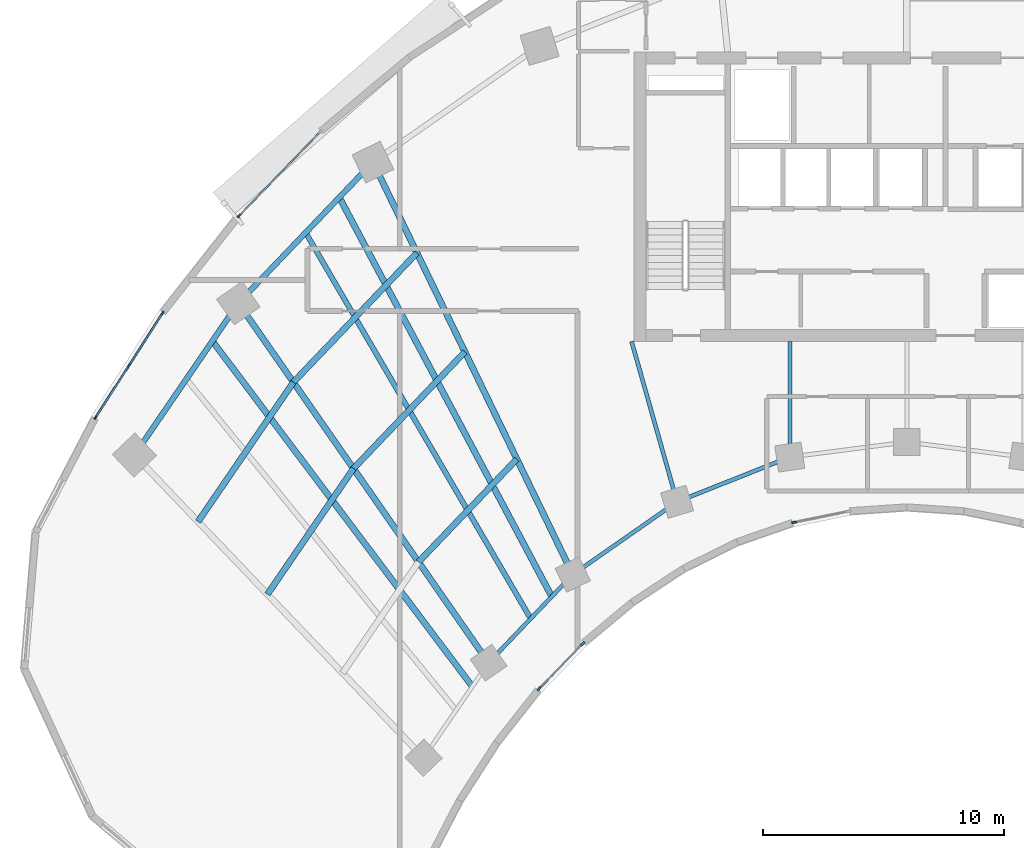
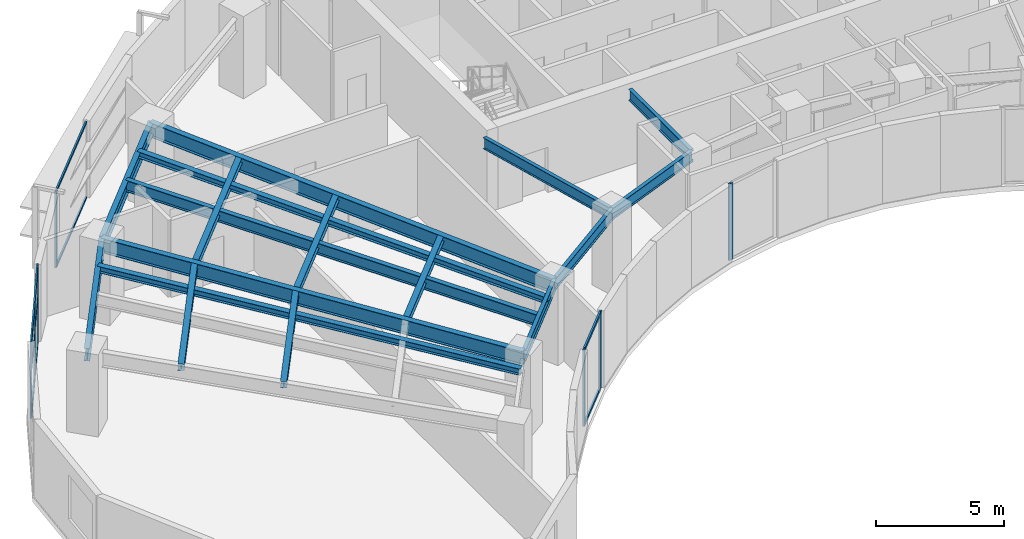
# One storey, part 2 of 13: 17 beams, 17 members, 4 elements without a shape of their own.
"""IFC4 building model written with IfcOpenShell, lengths in metres."""

from ifc_helpers import new_model, si_unit, direction, frame, origin, origin_2d, place, context, subcontext, project, spatial, rectangle, i_section, extrude, source, transform, mapped, material, layer, layer_set, material_profile, profile_set, type_object, type_shapes, element, aggregate, save


model = new_model("IFC4")

# Units and contexts
model_context = context("Model", 3, precision=1e-05, world=origin(), true_north=direction((0.0, 1.0)))
body_context = subcontext(model_context, "Body", "Model", "MODEL_VIEW")
ifc_project = project(units=[si_unit("LENGTHUNIT", "METRE"), si_unit("AREAUNIT", "SQUARE_METRE"), si_unit("VOLUMEUNIT", "CUBIC_METRE"), si_unit("PLANEANGLEUNIT", "RADIAN"), si_unit("MASSUNIT", "GRAM", prefix="KILO")], contexts=[model_context])

# Site, building, storey
site_placement = place(None, origin())
site = spatial("IfcSite", under=ifc_project, at=site_placement, CompositionType="ELEMENT")
building_placement = place(site_placement, origin())
building = spatial("IfcBuilding", under=site, at=building_placement, Name="Breltana Convention Tower", CompositionType="ELEMENT")
storey_placement = place(building_placement, frame((0.0, 0.0, 107.699951171875)))
storey = spatial("IfcBuildingStorey", under=building, at=storey_placement, Name="L25", CompositionType="ELEMENT", Elevation=107.699951171875)

# Beams
ifc_material_1 = material(Name="Steel ASTM A992 Grade 50", Category="steel")
ifc_material_profile_1 = material_profile(ifc_material_1, i_section(OverallWidth=0.25390625, OverallDepth=0.68798828125, WebThickness=0.01318359375, FlangeThickness=0.02099609375, at=origin_2d()), Name="W27X102")
ifc_profile_set_1 = profile_set([ifc_material_profile_1], Name="Steel ASTM A992 Grade 50")
beam_type_1 = type_object("IfcBeamType", Name="BM-RG-W27X102", PredefinedType="USERDEFINED", material=ifc_profile_set_1)
shared_shape_1 = source(origin(), body_context, "Body", "SweptSolid", [
    extrude(i_section(OverallWidth=0.25390625, OverallDepth=0.68798828125, WebThickness=0.01318359375, FlangeThickness=0.02099609375, at=origin_2d()), origin(), (0.0, 0.0, 1.0), 18.1484375),
])
beam_1_placement = place(storey_placement, frame((30.67724609375, 46.892333984375, 3.30615234375), z_axis=(-0.571207556098, 0.820805657788, 0.0), x_axis=(-0.820805657788, -0.571207556098, 0.0)))
element("IfcBeam", 1, at=beam_1_placement, inside=storey, type_object=beam_type_1, Name="L25 Radial Floor Girder R02", ObjectType="GIRDER", PredefinedType="USERDEFINED", context=body_context, shape_type="MappedRepresentation", body=[
    mapped(shared_shape_1, transform((0.0, 0.0, 0.0), scale=1.0)),
])
shared_shape_2 = source(origin(), body_context, "Body", "SweptSolid", [
    extrude(i_section(OverallWidth=0.25390625, OverallDepth=0.68798828125, WebThickness=0.01318359375, FlangeThickness=0.02099609375, at=origin_2d()), origin(), (0.0, 0.0, 1.0), 18.982421875),
])
beam_2_placement = place(storey_placement, frame((34.166259765625, 50.544921875, 3.30615234375), z_axis=(-0.436118560343, 0.89988921614, 0.0), x_axis=(-0.89988921614, -0.436118560343, 0.0)))
element("IfcBeam", 2, at=beam_2_placement, inside=storey, type_object=beam_type_1, Name="L25 Radial Floor Girder R03", ObjectType="GIRDER", PredefinedType="USERDEFINED", context=body_context, shape_type="MappedRepresentation", body=[
    mapped(shared_shape_2, transform((0.0, 0.0, 0.0), scale=1.0)),
])
ifc_material_profile_2 = material_profile(ifc_material_1, i_section(OverallWidth=0.166015625, OverallDepth=0.534912109375, WebThickness=0.01025390625, FlangeThickness=0.0166015625, at=origin_2d()), Name="W21X57")
ifc_profile_set_2 = profile_set([ifc_material_profile_2], Name="Steel ASTM A992 Grade 50")
beam_type_2 = type_object("IfcBeamType", Name="BM-BM-W21X57", PredefinedType="BEAM", material=ifc_profile_set_2)
shared_shape_3 = source(origin(), body_context, "Body", "SweptSolid", [
    extrude(i_section(OverallWidth=0.166015625, OverallDepth=0.534912109375, WebThickness=0.01025390625, FlangeThickness=0.0166015625, at=origin_2d()), origin(), (0.0, 0.0, 1.0), 6.904541015625),
])
type_shapes(beam_type_2, [shared_shape_3])
beam_3_placement = place(storey_placement, frame((36.60009765625, 60.199951171875, 3.382568359375), z_axis=(0.273006781054, -0.962012108811, 0.0), x_axis=(0.962012108811, 0.273006781054, 0.0)))
element("IfcBeam", 3, at=beam_3_placement, inside=storey, type_object=beam_type_2, Name="L25 South Core Tie Girder R04", PredefinedType="BEAM", context=body_context, shape_type="MappedRepresentation", body=[
    mapped(shared_shape_3, transform((0.0, 0.0, 0.0), scale=1.0)),
])
shared_shape_4 = source(origin(), body_context, "Body", "SweptSolid", [
    extrude(i_section(OverallWidth=0.166015625, OverallDepth=0.534912109375, WebThickness=0.01025390625, FlangeThickness=0.0166015625, at=origin_2d()), origin(), (0.0, 0.0, 1.0), 4.789306640625),
])
beam_4_placement = place(storey_placement, frame((43.153564453125, 60.199951171875, 3.382568359375), z_axis=(0.0, -1.0, 0.0), x_axis=(1.0, 0.0, 0.0)))
element("IfcBeam", 4, at=beam_4_placement, inside=storey, type_object=beam_type_2, Name="L25 South Core Tie Girder R05", PredefinedType="BEAM", context=body_context, shape_type="MappedRepresentation", body=[
    mapped(shared_shape_4, transform((0.0, 0.0, 0.0), scale=1.0)),
])
ifc_material_profile_3 = material_profile(ifc_material_1, i_section(OverallWidth=0.22802734375, OverallDepth=0.60791015625, WebThickness=0.01123046875, FlangeThickness=0.017333984375, at=origin_2d()), Name="W24X76")
ifc_profile_set_3 = profile_set([ifc_material_profile_3], Name="Steel ASTM A992 Grade 50")
beam_type_3 = type_object("IfcBeamType", Name="BM-SP-W24X76", PredefinedType="SPANDREL", material=ifc_profile_set_3)
shared_shape_5 = source(origin(), body_context, "Body", "SweptSolid", [
    extrude(i_section(OverallWidth=0.22802734375, OverallDepth=0.60791015625, WebThickness=0.01123046875, FlangeThickness=0.017333984375, at=origin_2d()), origin(), (0.0, 0.0, 1.0), 7.625),
])
type_shapes(beam_type_3, [shared_shape_5])
beam_5_placement = place(storey_placement, frame((16.0068359375, 55.494384765625, 3.345947265625), z_axis=(0.564452031902, 0.825465870694, 0.0), x_axis=(-0.825465870694, 0.564452031902, 0.0)))
element("IfcBeam", 5, at=beam_5_placement, inside=storey, type_object=beam_type_3, Name="L25 Outer Spandrel Beam 01", PredefinedType="SPANDREL", context=body_context, shape_type="MappedRepresentation", body=[
    mapped(shared_shape_5, transform((0.0, 0.0, 0.0), scale=1.0)),
])
shared_shape_6 = source(origin(), body_context, "Body", "SweptSolid", [
    extrude(i_section(OverallWidth=0.166015625, OverallDepth=0.534912109375, WebThickness=0.01025390625, FlangeThickness=0.0166015625, at=origin_2d()), origin(), (0.0, 0.0, 1.0), 5.05126953125),
])
beam_6_placement = place(storey_placement, frame((30.67724609375, 46.892333984375, 3.382568359375), z_axis=(0.690729753845, 0.7231129975, 0.0), x_axis=(-0.7231129975, 0.690729753845, 0.0)))
element("IfcBeam", 6, at=beam_6_placement, inside=storey, type_object=beam_type_2, Name="L25 Inner Ring Beam 02", PredefinedType="BEAM", context=body_context, shape_type="MappedRepresentation", body=[
    mapped(shared_shape_6, transform((0.0, 0.0, 0.0), scale=1.0)),
])
shared_shape_7 = source(origin(), body_context, "Body", "SweptSolid", [
    extrude(i_section(OverallWidth=0.22802734375, OverallDepth=0.60791015625, WebThickness=0.01123046875, FlangeThickness=0.017333984375, at=origin_2d()), origin(), (0.0, 0.0, 1.0), 8.073974609375),
])
beam_7_placement = place(storey_placement, frame((20.310791015625, 61.78857421875, 3.345947265625), z_axis=(0.69072885448, 0.723113856588, 0.0), x_axis=(-0.723113856588, 0.69072885448, 0.0)))
element("IfcBeam", 7, at=beam_7_placement, inside=storey, type_object=beam_type_3, Name="L25 Outer Spandrel Beam 02", PredefinedType="SPANDREL", context=body_context, shape_type="MappedRepresentation", body=[
    mapped(shared_shape_7, transform((0.0, 0.0, 0.0), scale=1.0)),
])
shared_shape_8 = source(origin(), body_context, "Body", "SweptSolid", [
    extrude(i_section(OverallWidth=0.166015625, OverallDepth=0.534912109375, WebThickness=0.01025390625, FlangeThickness=0.0166015625, at=origin_2d()), origin(), (0.0, 0.0, 1.0), 5.265869140625),
])
beam_8_placement = place(storey_placement, frame((34.166259765625, 50.544921875, 3.382568359375), z_axis=(0.820167429517, 0.572123577176, 0.0), x_axis=(-0.572123577176, 0.820167429517, 0.0)))
element("IfcBeam", 8, at=beam_8_placement, inside=storey, type_object=beam_type_2, Name="L25 Inner Ring Beam 03", PredefinedType="BEAM", context=body_context, shape_type="MappedRepresentation", body=[
    mapped(shared_shape_8, transform((0.0, 0.0, 0.0), scale=1.0)),
])
shared_shape_9 = source(origin(), body_context, "Body", "SweptSolid", [
    extrude(i_section(OverallWidth=0.166015625, OverallDepth=0.534912109375, WebThickness=0.01025390625, FlangeThickness=0.0166015625, at=origin_2d()), origin(), (0.0, 0.0, 1.0), 5.022705078125),
])
beam_9_placement = place(storey_placement, frame((38.485107421875, 53.5576171875, 3.382568359375), z_axis=(0.929458966248, 0.368925507469, 0.0), x_axis=(-0.368925507469, 0.929458966248, 0.0)))
element("IfcBeam", 9, at=beam_9_placement, inside=storey, type_object=beam_type_2, Name="L25 Inner Ring Beam 04", PredefinedType="BEAM", context=body_context, shape_type="MappedRepresentation", body=[
    mapped(shared_shape_9, transform((0.0, 0.0, 0.0), scale=1.0)),
])
ifc_material_profile_4 = material_profile(ifc_material_1, i_section(OverallWidth=0.25390625, OverallDepth=0.305908203125, WebThickness=0.0087890625, FlangeThickness=0.0146484375, at=origin_2d()), Name="W12X53")
ifc_profile_set_4 = profile_set([ifc_material_profile_4], Name="Steel ASTM A992 Grade 50")
beam_type_4 = type_object("IfcBeamType", Name="BM-JSG-10", PredefinedType="JOIST", material=ifc_profile_set_4)
shared_shape_10 = source(origin(), body_context, "Body", "SweptSolid", [
    extrude(i_section(OverallWidth=0.25390625, OverallDepth=0.305908203125, WebThickness=0.0087890625, FlangeThickness=0.0146484375, at=origin_2d()), origin(), (0.0, 0.0, 1.0), 6.311767578125),
])
beam_10_placement = place(storey_placement, frame((21.5166015625, 49.72607421875, 3.4970703125), z_axis=(0.564453712577, 0.825464721449, 0.0), x_axis=(-0.825464721449, 0.564453712577, 0.0)))
element("IfcBeam", 10, at=beam_10_placement, inside=storey, type_object=beam_type_4, Name="L25 Composite Floor Joist 01.2", PredefinedType="JOIST", context=body_context, shape_type="MappedRepresentation", body=[
    mapped(shared_shape_10, transform((0.0, 0.0, 0.0), scale=1.0)),
])
shared_shape_11 = source(origin(), body_context, "Body", "SweptSolid", [
    extrude(i_section(OverallWidth=0.25390625, OverallDepth=0.305908203125, WebThickness=0.0087890625, FlangeThickness=0.0146484375, at=origin_2d()), origin(), (0.0, 0.0, 1.0), 6.997314453125),
])
beam_11_placement = place(storey_placement, frame((18.641845703125, 52.735595703125, 3.4970703125), z_axis=(0.564468756361, 0.825454434292, 0.0), x_axis=(-0.825454434292, 0.564468756361, 0.0)))
element("IfcBeam", 11, at=beam_11_placement, inside=storey, type_object=beam_type_4, Name="L25 Composite Floor Joist 01.3", PredefinedType="JOIST", context=body_context, shape_type="MappedRepresentation", body=[
    mapped(shared_shape_11, transform((0.0, 0.0, 0.0), scale=1.0)),
])
shared_shape_12 = source(origin(), body_context, "Body", "SweptSolid", [
    extrude(i_section(OverallWidth=0.25390625, OverallDepth=0.305908203125, WebThickness=0.0087890625, FlangeThickness=0.0146484375, at=origin_2d()), origin(), (0.0, 0.0, 1.0), 17.9072265625),
])
beam_12_placement = place(storey_placement, frame((30.00390625, 45.907958984375, 3.4970703125), z_axis=(-0.601382105028, 0.798961553363, 0.0), x_axis=(-0.798961553363, -0.601382105028, 0.0)))
element("IfcBeam", 12, at=beam_12_placement, inside=storey, type_object=beam_type_4, Name="L25 Quarter-Bay Radial Trimmer 01", PredefinedType="JOIST", context=body_context, shape_type="MappedRepresentation", body=[
    mapped(shared_shape_12, transform((0.0, 0.0, 0.0), scale=1.0)),
])
shared_shape_13 = source(origin(), body_context, "Body", "SweptSolid", [
    extrude(i_section(OverallWidth=0.25390625, OverallDepth=0.305908203125, WebThickness=0.0087890625, FlangeThickness=0.0146484375, at=origin_2d()), origin(), (0.0, 0.0, 1.0), 5.8974609375),
])
beam_13_placement = place(storey_placement, frame((27.774658203125, 51.063232421875, 3.4970703125), z_axis=(0.690713978666, 0.723128065888, 0.0), x_axis=(-0.723128065888, 0.690713978666, 0.0)))
element("IfcBeam", 13, at=beam_13_placement, inside=storey, type_object=beam_type_4, Name="L25 Composite Floor Joist 02.1", PredefinedType="JOIST", context=body_context, shape_type="MappedRepresentation", body=[
    mapped(shared_shape_13, transform((0.0, 0.0, 0.0), scale=1.0)),
])
shared_shape_14 = source(origin(), body_context, "Body", "SweptSolid", [
    extrude(i_section(OverallWidth=0.25390625, OverallDepth=0.305908203125, WebThickness=0.0087890625, FlangeThickness=0.0146484375, at=origin_2d()), origin(), (0.0, 0.0, 1.0), 6.68359375),
])
beam_14_placement = place(storey_placement, frame((25.079345703125, 54.936279296875, 3.4970703125), z_axis=(0.690720705885, 0.723121640156, 0.0), x_axis=(-0.723121640156, 0.690720705885, 0.0)))
element("IfcBeam", 14, at=beam_14_placement, inside=storey, type_object=beam_type_4, Name="L25 Composite Floor Joist 02.2", PredefinedType="JOIST", context=body_context, shape_type="MappedRepresentation", body=[
    mapped(shared_shape_14, transform((0.0, 0.0, 0.0), scale=1.0)),
])
shared_shape_15 = source(origin(), body_context, "Body", "SweptSolid", [
    extrude(i_section(OverallWidth=0.25390625, OverallDepth=0.305908203125, WebThickness=0.0087890625, FlangeThickness=0.0146484375, at=origin_2d()), origin(), (0.0, 0.0, 1.0), 7.40869140625),
])
beam_15_placement = place(storey_placement, frame((22.591552734375, 58.511474609375, 3.4970703125), z_axis=(0.690724936208, 0.723117599358, 0.0), x_axis=(-0.723117599358, 0.690724936208, 0.0)))
element("IfcBeam", 15, at=beam_15_placement, inside=storey, type_object=beam_type_4, Name="L25 Composite Floor Joist 02.3", PredefinedType="JOIST", context=body_context, shape_type="MappedRepresentation", body=[
    mapped(shared_shape_15, transform((0.0, 0.0, 0.0), scale=1.0)),
])
ifc_material_profile_5 = material_profile(ifc_material_1, i_section(OverallWidth=0.214111328125, OverallDepth=0.549072265625, WebThickness=0.0146484375, FlangeThickness=0.023681640625, at=origin_2d()), Name="W21X93")
ifc_profile_set_5 = profile_set([ifc_material_profile_5], Name="Steel ASTM A992 Grade 50")
beam_type_5 = type_object("IfcBeamType", Name="BM-JSG-03", PredefinedType="JOIST", material=ifc_profile_set_5)
shared_shape_16 = source(origin(), body_context, "Body", "SweptSolid", [
    extrude(i_section(OverallWidth=0.214111328125, OverallDepth=0.549072265625, WebThickness=0.0146484375, FlangeThickness=0.023681640625, at=origin_2d()), origin(), (0.0, 0.0, 1.0), 18.50830078125),
])
beam_16_placement = place(storey_placement, frame((32.421630859375, 48.71875, 3.37548828125), z_axis=(-0.50368319637, 0.863888440537, 0.0), x_axis=(-0.863888440537, -0.50368319637, 0.0)))
element("IfcBeam", 16, at=beam_16_placement, inside=storey, type_object=beam_type_5, Name="L25 Mid-Bay Radial Trimmer 02", PredefinedType="JOIST", context=body_context, shape_type="MappedRepresentation", body=[
    mapped(shared_shape_16, transform((0.0, 0.0, 0.0), scale=1.0)),
])
shared_shape_17 = source(origin(), body_context, "Body", "SweptSolid", [
    extrude(i_section(OverallWidth=0.25390625, OverallDepth=0.305908203125, WebThickness=0.0087890625, FlangeThickness=0.0146484375, at=origin_2d()), origin(), (0.0, 0.0, 1.0), 18.731689453125),
])
beam_17_placement = place(storey_placement, frame((33.2939453125, 49.6318359375, 3.4970703125), z_axis=(-0.469820250451, 0.882762104004, 0.0), x_axis=(-0.882762104004, -0.469820250451, 0.0)))
element("IfcBeam", 17, at=beam_17_placement, inside=storey, type_object=beam_type_4, Name="L25 Quarter-Bay Radial Trimmer 02", PredefinedType="JOIST", context=body_context, shape_type="MappedRepresentation", body=[
    mapped(shared_shape_17, transform((0.0, 0.0, 0.0), scale=1.0)),
])

# Curtain wall, members
ifc_material_2 = material(Name="Aluminium Anodised Bronze Frame", Category="aluminium")
ifc_layer_1 = layer(ifc_material_2, 0.18994140625, Name="Aluminium Anodised Bronze Frame")
ifc_layer_set_1 = layer_set([ifc_layer_1], Name="Aluminium Anodised Bronze Frame")
curtain_wall_type_1 = type_object("IfcCurtainWallType", Name="CW-SYS-1", PredefinedType="NOTDEFINED", material=ifc_layer_set_1)
curtain_wall_1_placement = place(storey_placement, origin())
curtain_wall_1 = element("IfcCurtainWall", 18, at=curtain_wall_1_placement, inside=storey, type_object=curtain_wall_type_1, Name="L25 inner south-court glazing 5", PredefinedType="NOTDEFINED")
ifc_material_3 = material(Name="Aluminium Anodised Bronze", Category="aluminium")
ifc_material_profile_6 = material_profile(ifc_material_3, rectangle(XDim=0.080078125, YDim=0.139892578125, at=origin_2d()), Name="CWT-80X140")
ifc_profile_set_6 = profile_set([ifc_material_profile_6], Name="Aluminium Anodised Bronze")
member_type_1 = type_object("IfcMemberType", Name="CWT-140", PredefinedType="USERDEFINED", material=ifc_profile_set_6)
shared_shape_18 = source(origin(), body_context, "Body", "SweptSolid", [
    extrude(rectangle(XDim=0.080078125, YDim=0.139892578125, at=origin_2d()), origin(), (0.0, 0.0, 1.0), 2.519775390625),
])
member_1_placement = place(storey_placement, frame((34.5458984375, 47.650390625, 0.0400390625), z_axis=(-0.694596242791, -0.719399791146, 0.0), x_axis=(0.719399791146, -0.694596242791, 0.0)))
member_1 = element("IfcMember", 19, at=member_1_placement, type_object=member_type_1, Name="CW-01 transom 1.1", ObjectType="TRANSOM", PredefinedType="USERDEFINED", context=body_context, shape_type="MappedRepresentation", body=[
    mapped(shared_shape_18, transform((0.0, 0.0, 0.0), scale=1.0)),
])
member_2_placement = place(storey_placement, frame((34.5458984375, 47.650390625, 3.610107421875), z_axis=(-0.694596242791, -0.719399791146, 0.0), x_axis=(0.719399791146, -0.694596242791, 0.0)))
member_2 = element("IfcMember", 20, at=member_2_placement, type_object=member_type_1, Name="CW-01 transom 1.2", ObjectType="TRANSOM", PredefinedType="USERDEFINED", context=body_context, shape_type="MappedRepresentation", body=[
    mapped(shared_shape_18, transform((0.0, 0.0, 0.0), scale=1.0)),
])

ifc_layer_2 = layer(ifc_material_2, 0.22998046875, Name="Aluminium Anodised Bronze Frame")
ifc_layer_set_2 = layer_set([ifc_layer_2], Name="Aluminium Anodised Bronze Frame")
curtain_wall_type_2 = type_object("IfcCurtainWallType", Name="CW-SYS-5", PredefinedType="NOTDEFINED", material=ifc_layer_set_2)
curtain_wall_2_placement = place(storey_placement, origin())
curtain_wall_2 = element("IfcCurtainWall", 21, at=curtain_wall_2_placement, inside=storey, type_object=curtain_wall_type_2, Name="L25 outer double-skin inner glazing 1", PredefinedType="NOTDEFINED")
ifc_material_profile_7 = material_profile(ifc_material_3, rectangle(XDim=0.070068359375, YDim=0.1201171875, at=origin_2d()), Name="CWT-70X120")
ifc_profile_set_7 = profile_set([ifc_material_profile_7], Name="Aluminium Anodised Bronze")
member_type_2 = type_object("IfcMemberType", Name="CWT-120", PredefinedType="USERDEFINED", material=ifc_profile_set_7)
shared_shape_19 = source(origin(), body_context, "Body", "SweptSolid", [
    extrude(rectangle(XDim=0.070068359375, YDim=0.1201171875, at=origin_2d()), origin(), (0.0, 0.0, 1.0), 2.49755859375),
])
member_3_placement = place(storey_placement, frame((14.41455078125, 57.078857421875, 0.03515625), z_axis=(0.540179419124, 0.841549876808, 0.0), x_axis=(-0.841549876808, 0.540179419124, 0.0)))
member_3 = element("IfcMember", 22, at=member_3_placement, type_object=member_type_2, Name="CW-05 transom 1.1", ObjectType="TRANSOM", PredefinedType="USERDEFINED", context=body_context, shape_type="MappedRepresentation", body=[
    mapped(shared_shape_19, transform((0.0, 0.0, 0.0), scale=1.0)),
])
member_4_placement = place(storey_placement, frame((14.41455078125, 57.078857421875, 2.37255859375), z_axis=(0.540179419124, 0.841549876808, 0.0), x_axis=(-0.841549876808, 0.540179419124, 0.0)))
member_4 = element("IfcMember", 23, at=member_4_placement, type_object=member_type_2, Name="CW-05 transom 1.2", ObjectType="TRANSOM", PredefinedType="USERDEFINED", context=body_context, shape_type="MappedRepresentation", body=[
    mapped(shared_shape_19, transform((0.0, 0.0, 0.0), scale=1.0)),
])
member_5_placement = place(storey_placement, frame((14.41455078125, 57.078857421875, 3.614990234375), z_axis=(0.540179419124, 0.841549876808, 0.0), x_axis=(-0.841549876808, 0.540179419124, 0.0)))
member_5 = element("IfcMember", 24, at=member_5_placement, type_object=member_type_2, Name="CW-05 transom 1.3", ObjectType="TRANSOM", PredefinedType="USERDEFINED", context=body_context, shape_type="MappedRepresentation", body=[
    mapped(shared_shape_19, transform((0.0, 0.0, 0.0), scale=1.0)),
])
member_6_placement = place(storey_placement, frame((15.801513671875, 59.23974609375, 0.03515625), z_axis=(0.540179419124, 0.841549876808, 0.0), x_axis=(-0.841549876808, 0.540179419124, 0.0)))
member_6 = element("IfcMember", 25, at=member_6_placement, type_object=member_type_2, Name="CW-05 transom 2.1", ObjectType="TRANSOM", PredefinedType="USERDEFINED", context=body_context, shape_type="MappedRepresentation", body=[
    mapped(shared_shape_19, transform((0.0, 0.0, 0.0), scale=1.0)),
])
member_7_placement = place(storey_placement, frame((15.801513671875, 59.23974609375, 2.37255859375), z_axis=(0.540179419124, 0.841549876808, 0.0), x_axis=(-0.841549876808, 0.540179419124, 0.0)))
member_7 = element("IfcMember", 26, at=member_7_placement, type_object=member_type_2, Name="CW-05 transom 2.2", ObjectType="TRANSOM", PredefinedType="USERDEFINED", context=body_context, shape_type="MappedRepresentation", body=[
    mapped(shared_shape_19, transform((0.0, 0.0, 0.0), scale=1.0)),
])
member_8_placement = place(storey_placement, frame((15.801513671875, 59.23974609375, 3.614990234375), z_axis=(0.540179419124, 0.841549876808, 0.0), x_axis=(-0.841549876808, 0.540179419124, 0.0)))
member_8 = element("IfcMember", 27, at=member_8_placement, type_object=member_type_2, Name="CW-05 transom 2.3", ObjectType="TRANSOM", PredefinedType="USERDEFINED", context=body_context, shape_type="MappedRepresentation", body=[
    mapped(shared_shape_19, transform((0.0, 0.0, 0.0), scale=1.0)),
])

curtain_wall_3_placement = place(storey_placement, origin())
curtain_wall_3 = element("IfcCurtainWall", 28, at=curtain_wall_3_placement, inside=storey, type_object=curtain_wall_type_2, Name="L25 outer double-skin inner glazing 2", PredefinedType="NOTDEFINED")
shared_shape_20 = source(origin(), body_context, "Body", "SweptSolid", [
    extrude(rectangle(XDim=0.070068359375, YDim=0.1201171875, at=origin_2d()), origin(), (0.0, 0.0, 1.0), 4.7685546875),
])
member_9_placement = place(storey_placement, frame((20.36376953125, 65.4267578125, 0.03515625), z_axis=(0.694608218982, 0.719388227679, 0.0), x_axis=(-0.719388227679, 0.694608218982, 0.0)))
member_9 = element("IfcMember", 29, at=member_9_placement, type_object=member_type_2, Name="CW-05 transom 1.1", ObjectType="TRANSOM", PredefinedType="USERDEFINED", context=body_context, shape_type="MappedRepresentation", body=[
    mapped(shared_shape_20, transform((0.0, 0.0, 0.0), scale=1.0)),
])
member_10_placement = place(storey_placement, frame((20.36376953125, 65.4267578125, 3.614990234375), z_axis=(0.694608218982, 0.719388227679, 0.0), x_axis=(-0.719388227679, 0.694608218982, 0.0)))
member_10 = element("IfcMember", 30, at=member_10_placement, type_object=member_type_2, Name="CW-05 transom 1.2", ObjectType="TRANSOM", PredefinedType="USERDEFINED", context=body_context, shape_type="MappedRepresentation", body=[
    mapped(shared_shape_20, transform((0.0, 0.0, 0.0), scale=1.0)),
])

# Curtain wall, member
curtain_wall_4_placement = place(storey_placement, origin())
curtain_wall_4 = element("IfcCurtainWall", 31, at=curtain_wall_4_placement, inside=storey, type_object=curtain_wall_type_1, Name="L25 inner south-court glazing 4", PredefinedType="NOTDEFINED")
ifc_material_profile_8 = material_profile(ifc_material_3, rectangle(XDim=0.080078125, YDim=0.199951171875, at=origin_2d()), Name="CWM-80X200")
ifc_profile_set_8 = profile_set([ifc_material_profile_8], Name="Aluminium Anodised Bronze")
member_type_3 = type_object("IfcMemberType", Name="CWM-200", PredefinedType="MULLION", material=ifc_profile_set_8)
shared_shape_21 = source(origin(), body_context, "Body", "SweptSolid", [
    extrude(rectangle(XDim=0.080078125, YDim=0.199951171875, at=origin_2d()), origin(), (0.0, 0.0, 1.0), 3.650146484375),
])
member_11_placement = place(storey_placement, frame((43.327880859375, 52.703125, 0.0), z_axis=(0.0, 0.0, 1.0), x_axis=(0.200852929183, -0.979621406891, 0.0)))
member_11 = element("IfcMember", 32, at=member_11_placement, type_object=member_type_3, Name="CW-01 mullion 2", PredefinedType="MULLION", context=body_context, shape_type="MappedRepresentation", body=[
    mapped(shared_shape_21, transform((0.0, 0.0, 0.0), scale=1.0)),
])
aggregate(curtain_wall_4, [member_11])

# Member
member_12_placement = place(storey_placement, frame((34.57373046875, 47.67919921875, 0.0), z_axis=(0.0, 0.0, 1.0), x_axis=(0.719387314642, -0.694609164589, 0.0)))
member_12 = element("IfcMember", 33, at=member_12_placement, type_object=member_type_3, Name="CW-01 mullion 1", PredefinedType="MULLION", context=body_context, shape_type="MappedRepresentation", body=[
    mapped(shared_shape_21, transform((0.0, 0.0, 0.0), scale=1.0)),
])

member_13_placement = place(storey_placement, frame((32.767822265625, 45.808837890625, 0.0), z_axis=(0.0, 0.0, 1.0), x_axis=(0.719387314642, -0.694609164589, 0.0)))
member_13 = element("IfcMember", 34, at=member_13_placement, type_object=member_type_3, Name="CW-01 mullion 2", PredefinedType="MULLION", context=body_context, shape_type="MappedRepresentation", body=[
    mapped(shared_shape_21, transform((0.0, 0.0, 0.0), scale=1.0)),
])

aggregate(curtain_wall_1, [member_12, member_13, member_1, member_2])

ifc_material_profile_9 = material_profile(ifc_material_3, rectangle(XDim=0.070068359375, YDim=0.175048828125, at=origin_2d()), Name="CWM-70X175")
ifc_profile_set_9 = profile_set([ifc_material_profile_9], Name="Aluminium Anodised Bronze")
member_type_4 = type_object("IfcMemberType", Name="CWM-175", PredefinedType="MULLION", material=ifc_profile_set_9)
shared_shape_22 = source(origin(), body_context, "Body", "SweptSolid", [
    extrude(rectangle(XDim=0.070068359375, YDim=0.175048828125, at=origin_2d()), origin(), (0.0, 0.0, 1.0), 3.650146484375),
])
member_14_placement = place(storey_placement, frame((14.395751953125, 57.049560546875, 0.0), z_axis=(0.0, 0.0, 1.0), x_axis=(-0.84155155167, 0.540176809834, 0.0)))
member_14 = element("IfcMember", 35, at=member_14_placement, type_object=member_type_4, Name="CW-05 mullion 1", PredefinedType="MULLION", context=body_context, shape_type="MappedRepresentation", body=[
    mapped(shared_shape_22, transform((0.0, 0.0, 0.0), scale=1.0)),
])

member_15_placement = place(storey_placement, frame((15.78271484375, 59.210205078125, 0.0), z_axis=(0.0, 0.0, 1.0), x_axis=(-0.84155155167, 0.540176809834, 0.0)))
member_15 = element("IfcMember", 36, at=member_15_placement, type_object=member_type_4, Name="CW-05 mullion 2", PredefinedType="MULLION", context=body_context, shape_type="MappedRepresentation", body=[
    mapped(shared_shape_22, transform((0.0, 0.0, 0.0), scale=1.0)),
])

member_16_placement = place(storey_placement, frame((17.169677734375, 61.370849609375, 0.0), z_axis=(0.0, 0.0, 1.0), x_axis=(-0.84155155167, 0.540176809834, 0.0)))
member_16 = element("IfcMember", 37, at=member_16_placement, type_object=member_type_4, Name="CW-05 mullion 3", PredefinedType="MULLION", context=body_context, shape_type="MappedRepresentation", body=[
    mapped(shared_shape_22, transform((0.0, 0.0, 0.0), scale=1.0)),
])

aggregate(curtain_wall_2, [member_14, member_15, member_16, member_3, member_4, member_5, member_6, member_7, member_8])

member_17_placement = place(storey_placement, frame((20.339599609375, 65.401611328125, 0.0), z_axis=(0.0, 0.0, 1.0), x_axis=(-0.719384961558, 0.694611601605, 0.0)))
member_17 = element("IfcMember", 38, at=member_17_placement, type_object=member_type_4, Name="CW-05 mullion 1", PredefinedType="MULLION", context=body_context, shape_type="MappedRepresentation", body=[
    mapped(shared_shape_22, transform((0.0, 0.0, 0.0), scale=1.0)),
])

aggregate(curtain_wall_3, [member_17, member_9, member_10])

save(model, "model.ifc")
